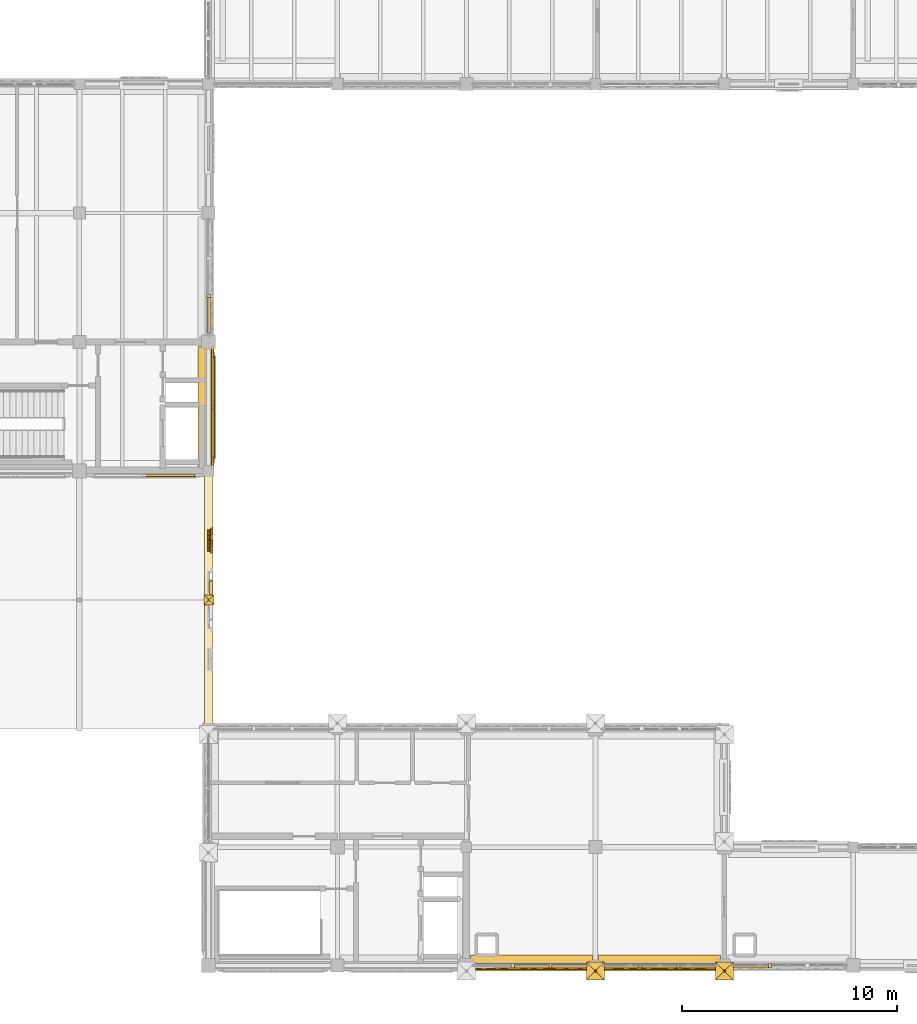
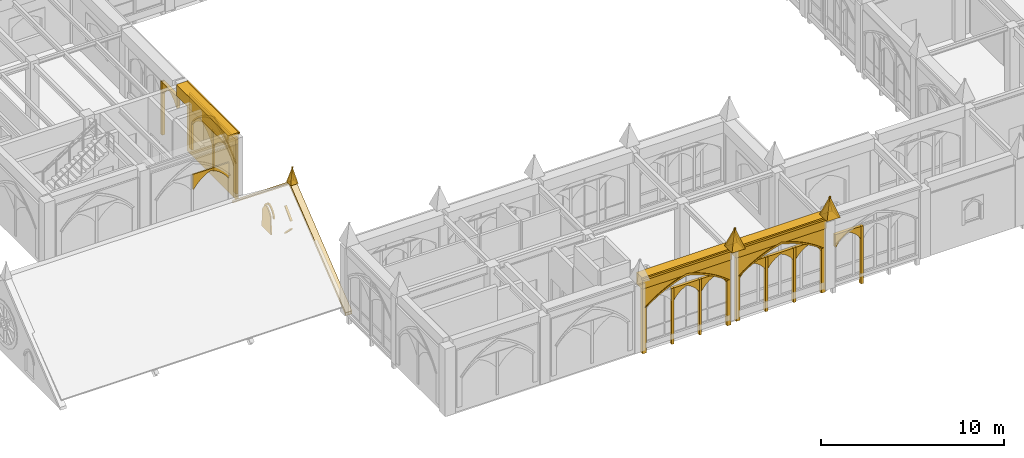
# One storey, part 115 of 143: 47 coverings.
"""IFC4 building model written with IfcOpenShell, lengths in metres."""

from ifc_helpers import new_model, si_unit, direction, frame, origin, origin_2d, place, context, subcontext, project, spatial, polyline, rectangle, outline, extrude, material, type_object, element, save


model = new_model("IFC4")

# Units and contexts
model_context = context("Model", 3, precision=1e-05, world=origin(), true_north=direction((0.0, 1.0)))
body_context = subcontext(model_context, "Body", "Model", "MODEL_VIEW")
ifc_project = project(units=[si_unit("LENGTHUNIT", "METRE"), si_unit("AREAUNIT", "SQUARE_METRE"), si_unit("VOLUMEUNIT", "CUBIC_METRE"), si_unit("PLANEANGLEUNIT", "RADIAN"), si_unit("MASSUNIT", "GRAM", prefix="KILO")], contexts=[model_context])

# Site, building, storey
site_placement = place(None, origin())
site = spatial("IfcSite", under=ifc_project, at=site_placement, CompositionType="ELEMENT")
building_placement = place(site_placement, origin())
building = spatial("IfcBuilding", under=site, at=building_placement, Name="Cumevento Cable Car Station", CompositionType="ELEMENT")
storey_placement = place(building_placement, frame((0.0, 0.0, 9.0)))
storey = spatial("IfcBuildingStorey", under=building, at=storey_placement, Name="L03", CompositionType="ELEMENT", Elevation=9.0)

# Coverings
ifc_material = material(Name="Gnaisse Facoidal Stone Ashlar 85 MPa", Category="masonry")
covering_type = type_object("IfcCoveringType", Name="Gnaisse Ashlar Cladding CV-CL01", PredefinedType="CLADDING", material=ifc_material)
for number, where, z_axis, x_axis, name in (
    (1, (39.580078125, 4.159912109375, 4.8701171875), (0.0, 0.951573760476, 0.30742052367), (1.0, 0.0, 0.0), "Gothic Buttress Pinnacle Spire Facet 1 bt:40.0:4.0"),
    (2, (40.419921875, 4.159912109375, 4.8701171875), (0.951573760476, 0.0, 0.30742052367), (0.0, -1.0, 0.0), "Gothic Buttress Pinnacle Spire Facet 2 bt:40.0:4.0"),
    (3, (40.419921875, 3.320068359375, 4.8701171875), (0.0, -0.951573760476, 0.30742052367), (-1.0, 0.0, 0.0), "Gothic Buttress Pinnacle Spire Facet 3 bt:40.0:4.0"),
    (4, (39.580078125, 3.320068359375, 4.8701171875), (-0.951573760476, 0.0, 0.30742052367), (0.0, 1.0, 0.0), "Gothic Buttress Pinnacle Spire Facet 4 bt:40.0:4.0"),
    (5, (45.580078125, 4.159912109375, 4.8701171875), (0.0, 0.951573760476, 0.30742052367), (1.0, 0.0, 0.0), "Gothic Buttress Pinnacle Spire Facet 1 bt:46.0:4.0"),
    (6, (46.419921875, 4.159912109375, 4.8701171875), (0.951573760476, 0.0, 0.30742052367), (0.0, -1.0, 0.0), "Gothic Buttress Pinnacle Spire Facet 2 bt:46.0:4.0"),
    (7, (46.419921875, 3.320068359375, 4.8701171875), (0.0, -0.951573760476, 0.30742052367), (-1.0, 0.0, 0.0), "Gothic Buttress Pinnacle Spire Facet 3 bt:46.0:4.0"),
    (8, (45.580078125, 3.320068359375, 4.8701171875), (-0.951573760476, 0.0, 0.30742052367), (0.0, 1.0, 0.0), "Gothic Buttress Pinnacle Spire Facet 4 bt:46.0:4.0"),
):
    element("IfcCovering", number, at=place(storey_placement, frame(where, z_axis=z_axis, x_axis=x_axis)), inside=storey, type_object=covering_type, Name=name, PredefinedType="CLADDING", context=body_context, shape_type="SweptSolid", body=[
        extrude(outline(polyline([(0.0, 0.0), (0.83984375, 0.0), (0.419921875, -1.3659526370817139), (0.0, 0.0)])), origin(), (0.0, 0.0, -1.0), 0.0849609375),
    ])
covering_1_placement = place(storey_placement, frame((37.03759765625, 4.14990234375, 4.032958984375), z_axis=(0.0, 0.0, 1.0), x_axis=(-1.0, 0.0, 0.0)))
element("IfcCovering", 9, at=covering_1_placement, inside=storey, type_object=covering_type, Name="Gothic Stone Spandrel Stringcourse sc:0582", PredefinedType="CLADDING", context=body_context, shape_type="SweptSolid", body=[
    extrude(rectangle(XDim=5.6650390625, YDim=0.659912109375, at=origin_2d()), origin(), (0.0, 0.0, 1.0), 0.7470703125),
])
covering_2_placement = place(storey_placement, frame((37.03759765625, 3.79248046875, 4.650146484375), z_axis=(0.0, 0.0, 1.0), x_axis=(-1.0, 0.0, 0.0)))
element("IfcCovering", 10, at=covering_2_placement, inside=storey, type_object=covering_type, Name="Gothic Cornice Dripstone Lip sc:0582", PredefinedType="CLADDING", context=body_context, shape_type="SweptSolid", body=[
    extrude(rectangle(XDim=5.705078125, YDim=0.114990234375, at=origin_2d()), origin(), (0.0, 0.0, 1.0), 0.1298828125),
])
covering_3_placement = place(storey_placement, frame((42.97509765625, 4.14990234375, 4.032958984375), z_axis=(0.0, 0.0, 1.0), x_axis=(-1.0, 0.0, 0.0)))
element("IfcCovering", 11, at=covering_3_placement, inside=storey, type_object=covering_type, Name="Gothic Stone Spandrel Stringcourse sc:0583", PredefinedType="CLADDING", context=body_context, shape_type="SweptSolid", body=[
    extrude(rectangle(XDim=5.68994140625, YDim=0.659912109375, at=origin_2d()), origin(), (0.0, 0.0, 1.0), 0.7470703125),
])
covering_4_placement = place(storey_placement, frame((42.97509765625, 3.79248046875, 4.650146484375), z_axis=(0.0, 0.0, 1.0), x_axis=(-1.0, 0.0, 0.0)))
element("IfcCovering", 12, at=covering_4_placement, inside=storey, type_object=covering_type, Name="Gothic Cornice Dripstone Lip sc:0583", PredefinedType="CLADDING", context=body_context, shape_type="SweptSolid", body=[
    extrude(rectangle(XDim=5.72998046875, YDim=0.114990234375, at=origin_2d()), origin(), (0.0, 0.0, 1.0), 0.1298828125),
])
covering_5_placement = place(storey_placement, frame((21.85009765625, 29.96240234375, 3.8330078125), z_axis=(0.0, 0.0, 1.0), x_axis=(0.0, -1.0, 0.0)))
element("IfcCovering", 13, at=covering_5_placement, inside=storey, type_object=covering_type, Name="Gothic Stone Spandrel Stringcourse sc:0619", PredefinedType="CLADDING", context=body_context, shape_type="SweptSolid", body=[
    extrude(rectangle(XDim=5.6650390625, YDim=0.659912109375, at=origin_2d()), origin(), (0.0, 0.0, 1.0), 0.7470703125),
])
covering_6_placement = place(storey_placement, frame((22.20751953125, 29.96240234375, 4.449951171875), z_axis=(0.0, 0.0, 1.0), x_axis=(0.0, -1.0, 0.0)))
element("IfcCovering", 14, at=covering_6_placement, inside=storey, type_object=covering_type, Name="Gothic Cornice Dripstone Lip sc:0619", PredefinedType="CLADDING", context=body_context, shape_type="SweptSolid", body=[
    extrude(rectangle(XDim=5.705078125, YDim=0.114990234375, at=origin_2d()), origin(), (0.0, 0.0, 1.0), 0.1298828125),
])
placement_1 = place(storey_placement, frame((39.75, 4.0, -0.320068359375), z_axis=(0.0, 0.0, 1.0), x_axis=(-1.0, 0.0, 0.0)))
element("IfcCovering", 15, at=placement_1, inside=storey, type_object=covering_type, Name="Gothic Ogival Pointed-Arch Stone Spandrel cw_ogival:0068", PredefinedType="CLADDING", context=body_context, shape_type="SweptSolid", body=[
    extrude(outline(polyline([(-0.080078125, 0.0), (-0.080078125, 4.492919921875), (5.5048828125, 4.492919921875), (5.5048828125, 0.0), (5.264892578125, 0.0), (5.264892578125, 3.069091796875), (4.9765625, 3.278076171875), (4.677734375, 3.47216796875), (4.369140625, 3.650390625), (4.052001953125, 3.812744140625), (3.726806640625, 3.95849609375), (3.39453125, 4.08740234375), (3.05615234375, 4.198974609375), (2.71240234375, 4.29296875), (2.368896484375, 4.198974609375), (2.030517578125, 4.08740234375), (1.6982421875, 3.95849609375), (1.373046875, 3.812744140625), (1.055908203125, 3.650390625), (0.747314453125, 3.47216796875), (0.448486328125, 3.278076171875), (0.159912109375, 3.069091796875), (0.159912109375, 0.0), (-0.080078125, 0.0)])), frame((0.0, 0.139892578125, 0.0), z_axis=(0.0, -1.0, 0.0), x_axis=(1.0, 0.0, 0.0)), (0.0, 0.0, 1.0), 0.219970703125),
])
covering_8_placement = place(storey_placement, frame((39.75, 4.0, 2.7490234375), z_axis=(0.0, 0.0, 1.0), x_axis=(-1.0, 0.0, 0.0)))
element("IfcCovering", 16, at=covering_8_placement, inside=storey, type_object=covering_type, Name="Gothic Pointed Archivolt Hood Moulding cw_ogival:0068", PredefinedType="CLADDING", context=body_context, shape_type="SweptSolid", body=[
    extrude(outline(polyline([(0.159912109375, 0.0), (0.448486328125, 0.208984375), (0.747314453125, 0.403076171875), (1.055908203125, 0.581298828125), (1.373046875, 0.74365234375), (1.6982421875, 0.889404296875), (2.030517578125, 1.018310546875), (2.368896484375, 1.1298828125), (2.71240234375, 1.223876953125), (3.05615234375, 1.1298828125), (3.39453125, 1.018310546875), (3.726806640625, 0.889404296875), (4.052001953125, 0.74365234375), (4.369140625, 0.581298828125), (4.677734375, 0.403076171875), (4.9765625, 0.208984375), (5.264892578125, 0.0), (5.375, 0.0), (5.078125, 0.23193359375), (4.76904296875, 0.447265625), (4.44873046875, 0.6455078125), (4.1181640625, 0.825927734375), (3.778076171875, 0.98828125), (3.429931640625, 1.1318359375), (3.07421875, 1.25634765625), (2.71240234375, 1.361328125), (2.350830078125, 1.25634765625), (1.9951171875, 1.1318359375), (1.64697265625, 0.98828125), (1.306884765625, 0.825927734375), (0.976318359375, 0.6455078125), (0.656005859375, 0.447265625), (0.346923828125, 0.23193359375), (0.050048828125, 0.0), (0.159912109375, 0.0)])), frame((0.0, 0.181884765625, 0.0), z_axis=(0.0, -1.0, 0.0), x_axis=(1.0, 0.0, 0.0)), (0.0, 0.0, 1.0), 0.06689453125),
])
element("IfcCovering", 17, at=placement_1, inside=storey, type_object=covering_type, Name="Gothic Bifora Stone Colonnette cw_ogival:0068 #1", PredefinedType="CLADDING", context=body_context, shape_type="SweptSolid", body=[
    extrude(outline(polyline([(1.76171875, -0.02001953125), (1.91162109375, -0.02001953125), (1.91162109375, 3.70556640625), (1.76171875, 3.70556640625), (1.76171875, -0.02001953125)])), frame((0.0, 0.1279296875, 0.0), z_axis=(0.0, -1.0, 0.0), x_axis=(1.0, 0.0, 0.0)), (0.0, 0.0, 1.0), 0.205078125),
])
element("IfcCovering", 18, at=placement_1, inside=storey, type_object=covering_type, Name="Gothic Bifora Stone Colonnette cw_ogival:0068 #2", PredefinedType="CLADDING", context=body_context, shape_type="SweptSolid", body=[
    extrude(outline(polyline([(3.513427734375, -0.02001953125), (3.663330078125, -0.02001953125), (3.663330078125, 3.70556640625), (3.513427734375, 3.70556640625), (3.513427734375, -0.02001953125)])), frame((0.0, 0.1279296875, 0.0), z_axis=(0.0, -1.0, 0.0), x_axis=(1.0, 0.0, 0.0)), (0.0, 0.0, 1.0), 0.205078125),
])
for number, where, z_axis, x_axis, name in (
    (19, (39.6201171875, 4.0, 2.569091796875), (0.0, 0.0, 1.0), (-1.0, 0.0, 0.0), "Gothic Ogival Pointed-Arch Stone Spandrel cw_ogival:0068:sub:0"),
    (20, (37.868408203125, 4.0, 2.569091796875), (0.0, 0.0, 1.0), (-1.0, 0.0, 0.0), "Gothic Ogival Pointed-Arch Stone Spandrel cw_ogival:0068:sub:1"),
):
    element("IfcCovering", number, at=place(storey_placement, frame(where, z_axis=z_axis, x_axis=x_axis)), inside=storey, type_object=covering_type, Name=name, PredefinedType="CLADDING", context=body_context, shape_type="SweptSolid", body=[
        extrude(outline(polyline([(-0.02001953125, 0.0), (-0.02001953125, 0.81640625), (1.681640625, 0.81640625), (1.681640625, 0.0), (1.62158203125, 0.0), (1.52490234375, 0.150390625), (1.412109375, 0.2890625), (1.28466796875, 0.41455078125), (1.14404296875, 0.525146484375), (0.9921875, 0.619384765625), (0.830810546875, 0.6962890625), (0.66943359375, 0.619384765625), (0.517578125, 0.525146484375), (0.376953125, 0.41455078125), (0.24951171875, 0.2890625), (0.13671875, 0.150390625), (0.0400390625, 0.0), (-0.02001953125, 0.0)])), frame((0.0, 0.1240234375, 0.0), z_axis=(0.0, -1.0, 0.0), x_axis=(1.0, 0.0, 0.0)), (0.0, 0.0, 1.0), 0.199951171875),
    ])
placement_2 = place(storey_placement, frame((45.699951171875, 4.0, -0.219970703125), z_axis=(0.0, 0.0, 1.0), x_axis=(-1.0, 0.0, 0.0)))
element("IfcCovering", 21, at=placement_2, inside=storey, type_object=covering_type, Name="Gothic Ogival Pointed-Arch Stone Spandrel cw_ogival:0070", PredefinedType="CLADDING", context=body_context, shape_type="SweptSolid", body=[
    extrude(outline(polyline([(-0.080078125, 0.0), (-0.080078125, 4.39306640625), (5.530029296875, 4.39306640625), (5.530029296875, 0.0), (5.2900390625, 0.0), (5.2900390625, 3.005126953125), (4.998046875, 3.208251953125), (4.696533203125, 3.396728515625), (4.3857421875, 3.570068359375), (4.06689453125, 3.7275390625), (3.740478515625, 3.868896484375), (3.407470703125, 3.99365234375), (3.06884765625, 4.101806640625), (2.72509765625, 4.193115234375), (2.381103515625, 4.101806640625), (2.04248046875, 3.99365234375), (1.70947265625, 3.868896484375), (1.383056640625, 3.7275390625), (1.064208984375, 3.570068359375), (0.75341796875, 3.396728515625), (0.451904296875, 3.208251953125), (0.159912109375, 3.005126953125), (0.159912109375, 0.0), (-0.080078125, 0.0)])), frame((0.0, 0.139892578125, 0.0), z_axis=(0.0, -1.0, 0.0), x_axis=(1.0, 0.0, 0.0)), (0.0, 0.0, 1.0), 0.219970703125),
])
covering_12_placement = place(storey_placement, frame((45.699951171875, 4.0, 2.78515625), z_axis=(0.0, 0.0, 1.0), x_axis=(-1.0, 0.0, 0.0)))
element("IfcCovering", 22, at=covering_12_placement, inside=storey, type_object=covering_type, Name="Gothic Pointed Archivolt Hood Moulding cw_ogival:0070", PredefinedType="CLADDING", context=body_context, shape_type="SweptSolid", body=[
    extrude(outline(polyline([(0.159912109375, 0.0), (0.451904296875, 0.203125), (0.75341796875, 0.3916015625), (1.064208984375, 0.56494140625), (1.383056640625, 0.722412109375), (1.70947265625, 0.86376953125), (2.04248046875, 0.988525390625), (2.381103515625, 1.0966796875), (2.72509765625, 1.18798828125), (3.06884765625, 1.0966796875), (3.407470703125, 0.988525390625), (3.740478515625, 0.86376953125), (4.06689453125, 0.722412109375), (4.3857421875, 0.56494140625), (4.696533203125, 0.3916015625), (4.998046875, 0.203125), (5.2900390625, 0.0), (5.39990234375, 0.0), (5.099609375, 0.22607421875), (4.78759765625, 0.43603515625), (4.465087890625, 0.62890625), (4.1328125, 0.8046875), (3.791748046875, 0.962646484375), (3.442626953125, 1.102294921875), (3.086669921875, 1.223388671875), (2.72509765625, 1.325439453125), (2.36328125, 1.223388671875), (2.00732421875, 1.102294921875), (1.658203125, 0.962646484375), (1.317138671875, 0.8046875), (0.98486328125, 0.62890625), (0.662353515625, 0.43603515625), (0.350341796875, 0.22607421875), (0.050048828125, 0.0), (0.159912109375, 0.0)])), frame((0.0, 0.181884765625, 0.0), z_axis=(0.0, -1.0, 0.0), x_axis=(1.0, 0.0, 0.0)), (0.0, 0.0, 1.0), 0.06689453125),
])
element("IfcCovering", 23, at=placement_2, inside=storey, type_object=covering_type, Name="Gothic Bifora Stone Colonnette cw_ogival:0070 #1", PredefinedType="CLADDING", context=body_context, shape_type="SweptSolid", body=[
    extrude(outline(polyline([(1.77001953125, -0.02001953125), (1.919921875, -0.02001953125), (1.919921875, 3.622802734375), (1.77001953125, 3.622802734375), (1.77001953125, -0.02001953125)])), frame((0.0, 0.1279296875, 0.0), z_axis=(0.0, -1.0, 0.0), x_axis=(1.0, 0.0, 0.0)), (0.0, 0.0, 1.0), 0.205078125),
])
element("IfcCovering", 24, at=placement_2, inside=storey, type_object=covering_type, Name="Gothic Bifora Stone Colonnette cw_ogival:0070 #2", PredefinedType="CLADDING", context=body_context, shape_type="SweptSolid", body=[
    extrude(outline(polyline([(3.530029296875, -0.02001953125), (3.679931640625, -0.02001953125), (3.679931640625, 3.622802734375), (3.530029296875, 3.622802734375), (3.530029296875, -0.02001953125)])), frame((0.0, 0.1279296875, 0.0), z_axis=(0.0, -1.0, 0.0), x_axis=(1.0, 0.0, 0.0)), (0.0, 0.0, 1.0), 0.205078125),
])
for number, where, z_axis, x_axis, name in (
    (25, (45.570068359375, 4.0, 2.60498046875), (0.0, 0.0, 1.0), (-1.0, 0.0, 0.0), "Gothic Ogival Pointed-Arch Stone Spandrel cw_ogival:0070:sub:0"),
    (26, (43.81005859375, 4.0, 2.60498046875), (0.0, 0.0, 1.0), (-1.0, 0.0, 0.0), "Gothic Ogival Pointed-Arch Stone Spandrel cw_ogival:0070:sub:1"),
    (27, (42.050048828125, 4.0, 2.60498046875), (0.0, 0.0, 1.0), (-1.0, 0.0, 0.0), "Gothic Ogival Pointed-Arch Stone Spandrel cw_ogival:0070:sub:2"),
):
    element("IfcCovering", number, at=place(storey_placement, frame(where, z_axis=z_axis, x_axis=x_axis)), inside=storey, type_object=covering_type, Name=name, PredefinedType="CLADDING", context=body_context, shape_type="SweptSolid", body=[
        extrude(outline(polyline([(-0.02001953125, 0.0), (-0.02001953125, 0.797607421875), (1.68994140625, 0.797607421875), (1.68994140625, 0.0), (1.6298828125, 0.0), (1.53076171875, 0.146728515625), (1.416259765625, 0.281982421875), (1.287841796875, 0.404052734375), (1.147216796875, 0.511474609375), (0.99560546875, 0.60302734375), (0.8349609375, 0.677734375), (0.67431640625, 0.60302734375), (0.522705078125, 0.511474609375), (0.382080078125, 0.404052734375), (0.253662109375, 0.281982421875), (0.13916015625, 0.146728515625), (0.0400390625, 0.0), (-0.02001953125, 0.0)])), frame((0.0, 0.1240234375, 0.0), z_axis=(0.0, -1.0, 0.0), x_axis=(1.0, 0.0, 0.0)), (0.0, 0.0, 1.0), 0.199951171875),
    ])
covering_15_placement = place(storey_placement, frame((51.675048828125, 4.0, -0.469970703125), z_axis=(0.0, 0.0, 1.0), x_axis=(-1.0, 0.0, 0.0)))
element("IfcCovering", 28, at=covering_15_placement, inside=storey, type_object=covering_type, Name="Gothic Bifora Stone Colonnette cw_ogival:0073 #2", PredefinedType="CLADDING", context=body_context, shape_type="SweptSolid", body=[
    extrude(outline(polyline([(3.47998046875, -0.02001953125), (3.6298828125, -0.02001953125), (3.6298828125, 3.82958984375), (3.47998046875, 3.82958984375), (3.47998046875, -0.02001953125)])), frame((0.0, 0.1279296875, 0.0), z_axis=(0.0, -1.0, 0.0), x_axis=(1.0, 0.0, 0.0)), (0.0, 0.0, 1.0), 0.205078125),
])
covering_16_placement = place(storey_placement, frame((48.074951171875, 4.0, 2.51513671875), z_axis=(0.0, 0.0, 1.0), x_axis=(-1.0, 0.0, 0.0)))
element("IfcCovering", 29, at=covering_16_placement, inside=storey, type_object=covering_type, Name="Gothic Ogival Pointed-Arch Stone Spandrel cw_ogival:0073:sub:2", PredefinedType="CLADDING", context=body_context, shape_type="SweptSolid", body=[
    extrude(outline(polyline([(-0.02001953125, 0.0), (-0.02001953125, 0.844482421875), (1.6650390625, 0.844482421875), (1.6650390625, 0.0), (1.60498046875, 0.0), (1.51220703125, 0.155517578125), (1.40234375, 0.299560546875), (1.276611328125, 0.43017578125), (1.136962890625, 0.54541015625), (0.98486328125, 0.64404296875), (0.822509765625, 0.724609375), (0.66015625, 0.64404296875), (0.508056640625, 0.54541015625), (0.368408203125, 0.43017578125), (0.24267578125, 0.299560546875), (0.1328125, 0.155517578125), (0.0400390625, 0.0), (-0.02001953125, 0.0)])), frame((0.0, 0.1240234375, 0.0), z_axis=(0.0, -1.0, 0.0), x_axis=(1.0, 0.0, 0.0)), (0.0, 0.0, 1.0), 0.199951171875),
])
covering_17_placement = place(storey_placement, frame((22.0, 38.699951171875, -0.320068359375), z_axis=(0.0, 0.0, 1.0), x_axis=(0.0, -1.0, 0.0)))
element("IfcCovering", 30, at=covering_17_placement, inside=storey, type_object=covering_type, Name="Gothic Bifora Stone Colonnette cw_ogival:0092 #2", PredefinedType="CLADDING", context=body_context, shape_type="SweptSolid", body=[
    extrude(outline(polyline([(3.47998046875, -0.02001953125), (3.6298828125, -0.02001953125), (3.6298828125, 3.5400390625), (3.47998046875, 3.5400390625), (3.47998046875, -0.02001953125)])), frame((0.0, 0.1279296875, 0.0), z_axis=(0.0, -1.0, 0.0), x_axis=(1.0, 0.0, 0.0)), (0.0, 0.0, 1.0), 0.205078125),
])
covering_18_placement = place(storey_placement, frame((22.0, 35.10009765625, 2.441162109375), z_axis=(0.0, 0.0, 1.0), x_axis=(0.0, -1.0, 0.0)))
element("IfcCovering", 31, at=covering_18_placement, inside=storey, type_object=covering_type, Name="Gothic Ogival Pointed-Arch Stone Spandrel cw_ogival:0092:sub:2", PredefinedType="CLADDING", context=body_context, shape_type="SweptSolid", body=[
    extrude(outline(polyline([(-0.02001953125, 0.0), (-0.02001953125, 0.779052734375), (1.6650390625, 0.779052734375), (1.6650390625, 0.0), (1.60498046875, 0.0), (1.5068359375, 0.142822265625), (1.393798828125, 0.2744140625), (1.267333984375, 0.39306640625), (1.12890625, 0.49755859375), (0.97998046875, 0.58642578125), (0.822509765625, 0.658935546875), (0.6650390625, 0.58642578125), (0.51611328125, 0.49755859375), (0.377685546875, 0.39306640625), (0.251220703125, 0.2744140625), (0.13818359375, 0.142822265625), (0.0400390625, 0.0), (-0.02001953125, 0.0)])), frame((0.0, 0.1240234375, 0.0), z_axis=(0.0, -1.0, 0.0), x_axis=(1.0, 0.0, 0.0)), (0.0, 0.0, 1.0), 0.199951171875),
])
covering_19_placement = place(storey_placement, frame((21.340087890625, 27.0, 2.0869140625), z_axis=(0.0, 0.0, 1.0), x_axis=(-1.0, 0.0, 0.0)))
element("IfcCovering", 32, at=covering_19_placement, inside=storey, type_object=covering_type, Name="Gothic Ogival Pointed-Arch Stone Spandrel blind_ogival:0236:sub:0", PredefinedType="CLADDING", context=body_context, shape_type="SweptSolid", body=[
    extrude(outline(polyline([(-0.02001953125, 0.0), (-0.02001953125, 1.0126953125), (2.277587890625, 1.0126953125), (2.277587890625, 0.0), (2.217529296875, 0.0), (2.078857421875, 0.194091796875), (1.92041015625, 0.372314453125), (1.744384765625, 0.532958984375), (1.55224609375, 0.67431640625), (1.34619140625, 0.794677734375), (1.128662109375, 0.892578125), (0.911376953125, 0.794677734375), (0.705322265625, 0.67431640625), (0.51318359375, 0.532958984375), (0.337158203125, 0.372314453125), (0.1787109375, 0.194091796875), (0.0400390625, 0.0), (-0.02001953125, 0.0)])), frame((0.0, 0.261474609375, 0.0), z_axis=(0.0, -1.0, 0.0), x_axis=(1.0, 0.0, 0.0)), (0.0, 0.0, 1.0), 0.090087890625),
])
covering_20_placement = place(storey_placement, frame((22.0, 32.675048828125, 0.0), z_axis=(0.0, 0.0, 1.0), x_axis=(0.0, -1.0, 0.0)))
element("IfcCovering", 33, at=covering_20_placement, inside=storey, type_object=covering_type, Name="Exterior Gnaisse Stone Wall Ashlar #238", PredefinedType="CLADDING", context=body_context, shape_type="SweptSolid", body=[
    extrude(outline(polyline([(-0.0400390625, -0.02001953125), (5.465087890625, -0.02001953125), (5.465087890625, 3.9130859375), (-0.0400390625, 3.9130859375), (-0.0400390625, -0.02001953125)])), frame((0.0, 0.222412109375, 0.0), z_axis=(0.0, -1.0, 0.0), x_axis=(1.0, 0.0, 0.0)), (0.0, 0.0, 1.0), 0.0849609375),
])
placement_3 = place(storey_placement, frame((22.0, 32.4951171875, 0.300048828125), z_axis=(0.0, 0.0, 1.0), x_axis=(0.0, -1.0, 0.0)))
element("IfcCovering", 34, at=placement_3, inside=storey, type_object=covering_type, Name="Gothic Ogival Pointed-Arch Stone Spandrel blind_ogival:0238", PredefinedType="CLADDING", context=body_context, shape_type="SweptSolid", body=[
    extrude(outline(polyline([(-0.050048828125, 0.0), (-0.050048828125, 3.633056640625), (5.114990234375, 3.633056640625), (5.114990234375, 0.0), (4.804931640625, 0.0), (4.804931640625, 1.880126953125), (4.53662109375, 2.171875), (4.24658203125, 2.44189453125), (3.93603515625, 2.6884765625), (3.607421875, 2.91015625), (3.2626953125, 3.105712890625), (2.903564453125, 3.273681640625), (2.532470703125, 3.4130859375), (2.161376953125, 3.273681640625), (1.80224609375, 3.105712890625), (1.45751953125, 2.91015625), (1.12890625, 2.6884765625), (0.818359375, 2.44189453125), (0.5283203125, 2.171875), (0.260009765625, 1.880126953125), (0.260009765625, 0.0), (-0.050048828125, 0.0)])), frame((0.0, 0.277587890625, 0.0), z_axis=(0.0, -1.0, 0.0), x_axis=(1.0, 0.0, 0.0)), (0.0, 0.0, 1.0), 0.110107421875),
])
covering_22_placement = place(storey_placement, frame((22.0, 32.4951171875, 2.18017578125), z_axis=(0.0, 0.0, 1.0), x_axis=(0.0, -1.0, 0.0)))
element("IfcCovering", 35, at=covering_22_placement, inside=storey, type_object=covering_type, Name="Gothic Pointed Archivolt Hood Moulding blind_ogival:0238", PredefinedType="CLADDING", context=body_context, shape_type="SweptSolid", body=[
    extrude(outline(polyline([(0.260009765625, 0.0), (0.5283203125, 0.291748046875), (0.818359375, 0.561767578125), (1.12890625, 0.808349609375), (1.45751953125, 1.030029296875), (1.80224609375, 1.2255859375), (2.161376953125, 1.3935546875), (2.532470703125, 1.532958984375), (2.903564453125, 1.3935546875), (3.2626953125, 1.2255859375), (3.607421875, 1.030029296875), (3.93603515625, 0.808349609375), (4.24658203125, 0.561767578125), (4.53662109375, 0.291748046875), (4.804931640625, 0.0), (4.926025390625, 0.0), (4.64794921875, 0.319580078125), (4.34521484375, 0.61572265625), (4.01953125, 0.88671875), (3.673095703125, 1.13037109375), (3.30810546875, 1.345458984375), (2.92724609375, 1.530517578125), (2.532470703125, 1.68408203125), (2.1376953125, 1.530517578125), (1.7568359375, 1.345458984375), (1.391845703125, 1.13037109375), (1.04541015625, 0.88671875), (0.7197265625, 0.61572265625), (0.4169921875, 0.319580078125), (0.138916015625, 0.0), (0.260009765625, 0.0)])), frame((0.0, 0.319580078125, 0.0), z_axis=(0.0, -1.0, 0.0), x_axis=(1.0, 0.0, 0.0)), (0.0, 0.0, 1.0), 0.06689453125),
])
element("IfcCovering", 36, at=placement_3, inside=storey, type_object=covering_type, Name="Gothic Bifora Stone Colonnette blind_ogival:0238 #1", PredefinedType="CLADDING", context=body_context, shape_type="SweptSolid", body=[
    extrude(outline(polyline([(2.45751953125, -0.02001953125), (2.607421875, -0.02001953125), (2.607421875, 2.67724609375), (2.45751953125, 2.67724609375), (2.45751953125, -0.02001953125)])), frame((0.0, 0.265380859375, 0.0), z_axis=(0.0, -1.0, 0.0), x_axis=(1.0, 0.0, 0.0)), (0.0, 0.0, 1.0), 0.094970703125),
])
for number, where, z_axis, x_axis, name in (
    (37, (22.0, 32.264892578125, 2.0), (0.0, 0.0, 1.0), (0.0, -1.0, 0.0), "Gothic Ogival Pointed-Arch Stone Spandrel blind_ogival:0238:sub:0"),
    (38, (22.0, 29.91748046875, 2.0), (0.0, 0.0, 1.0), (0.0, -1.0, 0.0), "Gothic Ogival Pointed-Arch Stone Spandrel blind_ogival:0238:sub:1"),
):
    element("IfcCovering", number, at=place(storey_placement, frame(where, z_axis=z_axis, x_axis=x_axis)), inside=storey, type_object=covering_type, Name=name, PredefinedType="CLADDING", context=body_context, shape_type="SweptSolid", body=[
        extrude(outline(polyline([(-0.02001953125, 0.0), (-0.02001953125, 0.97705078125), (2.277587890625, 0.97705078125), (2.277587890625, 0.0), (2.217529296875, 0.0), (2.075927734375, 0.18701171875), (1.916015625, 0.3583984375), (1.739501953125, 0.5126953125), (1.548095703125, 0.648193359375), (1.34375, 0.763427734375), (1.128662109375, 0.857177734375), (0.913818359375, 0.763427734375), (0.70947265625, 0.648193359375), (0.51806640625, 0.5126953125), (0.341552734375, 0.3583984375), (0.181640625, 0.18701171875), (0.0400390625, 0.0), (-0.02001953125, 0.0)])), frame((0.0, 0.261474609375, 0.0), z_axis=(0.0, -1.0, 0.0), x_axis=(1.0, 0.0, 0.0)), (0.0, 0.0, 1.0), 0.090087890625),
    ])
placement_4 = place(storey_placement, frame((22.0, 27.0, 0.0), z_axis=(0.0, 0.0, 1.0), x_axis=(0.0, -1.0, 0.0)))
element("IfcCovering", 39, at=placement_4, inside=storey, type_object=covering_type, Name="Gothic Gable Recessed Tracery Backing wing_B_V6a_E lancet_0", PredefinedType="CLADDING", context=body_context, shape_type="SweptSolid", body=[
    extrude(outline(polyline([(2.735107421875, 0.14990234375), (3.7451171875, 0.14990234375), (3.688720703125, 1.3349609375), (3.607666015625, 1.47998046875), (3.503662109375, 1.609375), (3.380126953125, 1.72021484375), (3.239990234375, 1.809326171875), (3.099853515625, 1.72021484375), (2.976318359375, 1.609375), (2.872314453125, 1.47998046875), (2.791259765625, 1.3349609375), (2.735107421875, 0.14990234375)])), frame((0.0, 0.050048828125, 0.0), z_axis=(0.0, -1.0, 0.0), x_axis=(1.0, 0.0, 0.0)), (0.0, 0.0, 1.0), 0.074951171875),
])
element("IfcCovering", 40, at=placement_4, inside=storey, type_object=covering_type, Name="Gothic Rose Stone Tracery Mullion wing_B_V6a_E #4", PredefinedType="CLADDING", context=body_context, shape_type="SweptSolid", body=[
    extrude(outline(polyline([(5.707275390625, 2.20947265625), (5.060302734375, 2.8564453125), (5.123779296875, 2.920166015625), (5.770751953125, 2.273193359375), (5.707275390625, 2.20947265625)])), frame((0.0, 0.18505859375, 0.0), z_axis=(0.0, -1.0, 0.0), x_axis=(1.0, 0.0, 0.0)), (0.0, 0.0, 1.0), 0.1298828125),
])
element("IfcCovering", 41, at=placement_4, inside=storey, type_object=covering_type, Name="Gothic Rose Stone Tracery Mullion wing_B_V6a_E #6", PredefinedType="CLADDING", context=body_context, shape_type="SweptSolid", body=[
    extrude(outline(polyline([(5.770751953125, 1.6875), (5.123779296875, 1.04052734375), (5.060302734375, 1.10400390625), (5.707275390625, 1.751220703125), (5.770751953125, 1.6875)])), frame((0.0, 0.18505859375, 0.0), z_axis=(0.0, -1.0, 0.0), x_axis=(1.0, 0.0, 0.0)), (0.0, 0.0, 1.0), 0.1298828125),
])
element("IfcCovering", 42, at=placement_4, inside=storey, type_object=covering_type, Name="Gable Lancet Stone Hood Moulding wing_B_V6a_E #1", PredefinedType="CLADDING", context=body_context, shape_type="SweptSolid", body=[
    extrude(outline(polyline([(2.764892578125, 1.177734375), (2.786865234375, 1.342529296875), (2.85107421875, 1.495849609375), (2.953125, 1.627197265625), (3.085693359375, 1.727294921875), (3.239990234375, 1.789306640625), (3.394287109375, 1.727294921875), (3.52685546875, 1.627197265625), (3.62890625, 1.495849609375), (3.693115234375, 1.342529296875), (3.715087890625, 1.177734375), (3.804931640625, 1.177734375), (3.779052734375, 1.37451171875), (3.70263671875, 1.557373046875), (3.58154296875, 1.71435546875), (3.423583984375, 1.83447265625), (3.239990234375, 1.909423828125), (3.056396484375, 1.83447265625), (2.8984375, 1.71435546875), (2.77734375, 1.557373046875), (2.700927734375, 1.37451171875), (2.675048828125, 1.177734375), (2.764892578125, 1.177734375)])), frame((0.0, 0.205078125, 0.0), z_axis=(0.0, -1.0, 0.0), x_axis=(1.0, 0.0, 0.0)), (0.0, 0.0, 1.0), 0.090087890625),
])
element("IfcCovering", 43, at=placement_4, inside=storey, type_object=covering_type, Name="Raking Gothic Stone Gable Coping wing_B_V6a_E", PredefinedType="CLADDING", context=body_context, shape_type="SweptSolid", body=[
    extrude(outline(polyline([(-0.199951171875, -0.06005859375), (6.0, 4.909912109375), (12.199951171875, -0.06005859375), (12.199951171875, 0.139892578125), (6.0, 5.14990234375), (-0.199951171875, 0.139892578125), (-0.199951171875, -0.06005859375)])), frame((0.0, 0.219970703125, 0.0), z_axis=(0.0, -1.0, 0.0), x_axis=(1.0, 0.0, 0.0)), (0.0, 0.0, 1.0), 0.39990234375),
])
for number, where, z_axis, x_axis, name in (
    (44, (21.7900390625, 21.239990234375, 5.010009765625), (-0.97486272659, 0.0, 0.222806338116), (0.0, -1.0, 0.0), "Gothic Gable Finial Spire Facet 1 wing_B_V6a_E"),
    (45, (21.7900390625, 20.760009765625, 5.010009765625), (0.0, -0.97486272659, 0.222806338116), (1.0, 0.0, 0.0), "Gothic Gable Finial Spire Facet 2 wing_B_V6a_E"),
    (46, (22.27001953125, 20.760009765625, 5.010009765625), (0.97486272659, 0.0, 0.222806338116), (0.0, 1.0, 0.0), "Gothic Gable Finial Spire Facet 3 wing_B_V6a_E"),
    (47, (22.27001953125, 21.239990234375, 5.010009765625), (0.0, 0.97486272659, 0.222806338116), (-1.0, 0.0, 0.0), "Gothic Gable Finial Spire Facet 4 wing_B_V6a_E"),
):
    element("IfcCovering", number, at=place(storey_placement, frame(where, z_axis=z_axis, x_axis=x_axis)), inside=storey, type_object=covering_type, Name=name, PredefinedType="CLADDING", context=body_context, shape_type="SweptSolid", body=[
        extrude(outline(polyline([(0.0, 0.0), (0.47998046875, 0.0), (0.239990234375, 1.0771248089437238), (0.0, 0.0)])), origin(), (0.0, 0.0, -1.0), 0.06494140625),
    ])

save(model, "model.ifc")
